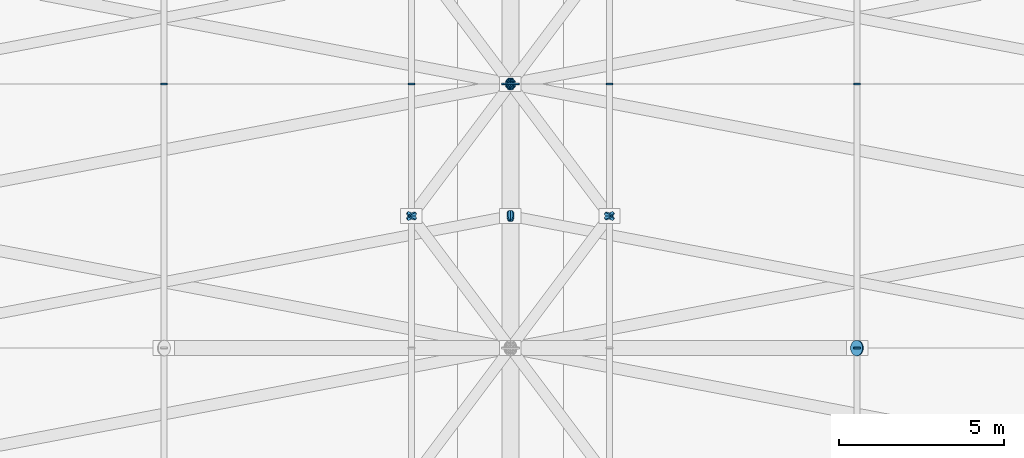
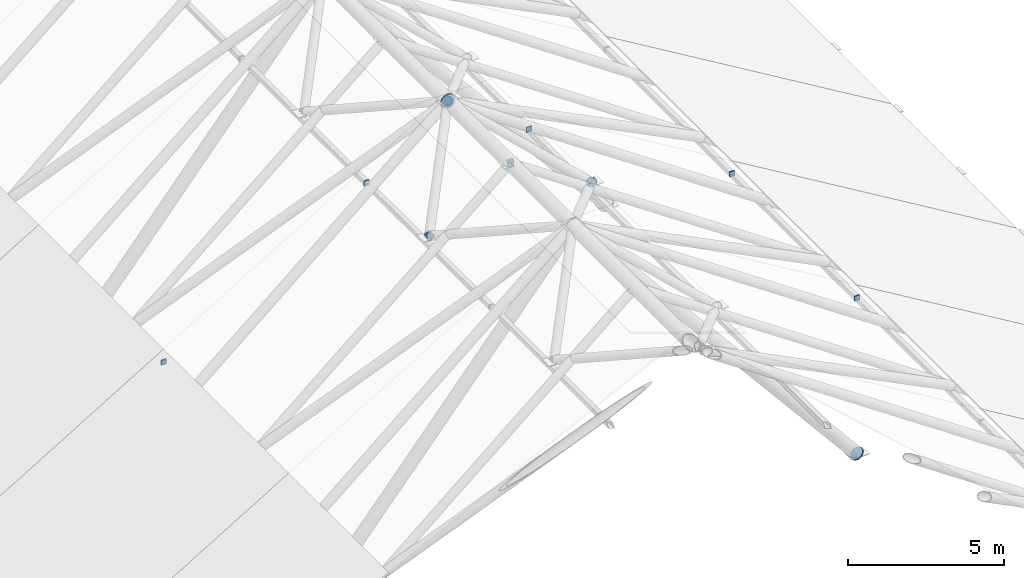
# One storey, part 26 of 44: 27 discrete accessories.
"""IFC4 building model written with IfcOpenShell, lengths in metres."""

from ifc_helpers import new_model, si_unit, direction, frame, origin, origin_2d, place, context, subcontext, project, spatial, rectangle, circle, extrude, material, element, save


model = new_model("IFC4")

# Units and contexts
model_context = context("Model", 3, precision=1e-05, world=origin(), true_north=direction((0.0, 1.0)))
body_context = subcontext(model_context, "Body", "Model", "MODEL_VIEW")
ifc_project = project(units=[si_unit("LENGTHUNIT", "METRE"), si_unit("AREAUNIT", "SQUARE_METRE"), si_unit("VOLUMEUNIT", "CUBIC_METRE"), si_unit("PLANEANGLEUNIT", "RADIAN"), si_unit("MASSUNIT", "GRAM", prefix="KILO")], contexts=[model_context])

# Site, building, storey
site_placement = place(None, origin())
site = spatial("IfcSite", under=ifc_project, at=site_placement, CompositionType="ELEMENT")
building_placement = place(site_placement, origin())
building = spatial("IfcBuilding", under=site, at=building_placement, Name="Marlcrest Central Station", CompositionType="ELEMENT")
storey_placement = place(building_placement, frame((0.0, 0.0, 19.5)))
storey = spatial("IfcBuildingStorey", under=building, at=storey_placement, Name="L04", CompositionType="ELEMENT", Elevation=19.5)

# Discrete accessories
ifc_material = material(Name="Steel S355", Category="steel")
discrete_accessory_1_placement = place(storey_placement, frame((118.509521484375, 54.5, -0.011474609375), z_axis=(-0.640181471429, 0.0, 0.768223719784), x_axis=(0.0, -1.0, 0.0)))
element("IfcDiscreteAccessory", 1, at=discrete_accessory_1_placement, inside=storey, material=ifc_material, Name="endcap-mem-ST-01-L04-02371-s", ObjectType="END_CAP_PLATE", PredefinedType="BRACKET", context=body_context, shape_type="SweptSolid", body=[
    extrude(circle(Radius=0.236572265625, at=origin_2d()), origin(), (0.0, 0.0, 1.0), 0.0400390625),
])
discrete_accessory_2_placement = place(storey_placement, frame((118.5, 54.47509765625, 6.080078125), z_axis=(0.0, 1.0, 0.0), x_axis=(-1.0, 0.0, 0.0)))
element("IfcDiscreteAccessory", 2, at=discrete_accessory_2_placement, inside=storey, material=ifc_material, Name="endcap-mem-PR-03-L04-02439-e", ObjectType="END_CAP_PLATE", PredefinedType="BRACKET", context=body_context, shape_type="SweptSolid", body=[
    extrude(rectangle(XDim=0.196044921875, YDim=0.196044921875, at=origin_2d()), origin(), (0.0, 0.0, 1.0), 0.0400390625),
])
discrete_accessory_3_placement = place(storey_placement, frame((108.0, 62.47509765625, 12.60009765625), z_axis=(0.0, 1.0, 0.0), x_axis=(-1.0, 0.0, 0.0)))
element("IfcDiscreteAccessory", 3, at=discrete_accessory_3_placement, inside=storey, material=ifc_material, Name="endcap-mem-SC-SP-L04-02440-e", ObjectType="END_CAP_PLATE", PredefinedType="BRACKET", context=body_context, shape_type="SweptSolid", body=[
    extrude(circle(Radius=0.261962890625, at=origin_2d()), origin(), (0.0, 0.0, 1.0), 0.0400390625),
])
discrete_accessory_4_placement = place(storey_placement, frame((105.0, 62.47509765625, 10.449951171875), z_axis=(0.0, 1.0, 0.0), x_axis=(-1.0, 0.0, 0.0)))
element("IfcDiscreteAccessory", 4, at=discrete_accessory_4_placement, inside=storey, material=ifc_material, Name="endcap-mem-PR-03-L04-02441-e", ObjectType="END_CAP_PLATE", PredefinedType="BRACKET", context=body_context, shape_type="SweptSolid", body=[
    extrude(rectangle(XDim=0.196044921875, YDim=0.196044921875, at=origin_2d()), origin(), (0.0, 0.0, 1.0), 0.0400390625),
])
for number, where, z_axis, x_axis, name in (
    (5, (105.01416015625, 58.481201171875, 10.80859375), (-0.564530690126, 0.752707586834, -0.338727602401), (-0.8, -0.6, 0.0), "endcap-mem-FB-02-L04-02442-e"),
    (6, (108.008544921875, 62.51123046875, 12.605224609375), (-0.564530690126, -0.752707586834, -0.338727602401), (0.8, -0.6, 0.0), "endcap-mem-FB-02-L04-02443-s"),
    (7, (105.01416015625, 58.518798828125, 10.80859375), (-0.564530690126, -0.752707586834, -0.338727602401), (0.8, -0.6, 0.0), "endcap-mem-FB-02-L04-02443-e"),
):
    element("IfcDiscreteAccessory", number, at=place(storey_placement, frame(where, z_axis=z_axis, x_axis=x_axis)), inside=storey, material=ifc_material, Name=name, ObjectType="END_CAP_PLATE", PredefinedType="BRACKET", context=body_context, shape_type="SweptSolid", body=[
        extrude(circle(Radius=0.169921875, at=origin_2d()), origin(), (0.0, 0.0, 1.0), 0.0400390625),
    ])
discrete_accessory_5_placement = place(storey_placement, frame((111.0, 62.47509765625, 10.449951171875), z_axis=(0.0, 1.0, 0.0), x_axis=(-1.0, 0.0, 0.0)))
element("IfcDiscreteAccessory", 8, at=discrete_accessory_5_placement, inside=storey, material=ifc_material, Name="endcap-mem-PR-03-L04-02444-e", ObjectType="END_CAP_PLATE", PredefinedType="BRACKET", context=body_context, shape_type="SweptSolid", body=[
    extrude(rectangle(XDim=0.196044921875, YDim=0.196044921875, at=origin_2d()), origin(), (0.0, 0.0, 1.0), 0.0400390625),
])
for number, where, z_axis, x_axis, name in (
    (9, (110.98583984375, 58.481201171875, 10.80859375), (0.564530690126, 0.752707586834, -0.338727602401), (-0.8, 0.6, 0.0), "endcap-mem-FB-02-L04-02445-e"),
    (10, (107.991455078125, 62.51123046875, 12.605224609375), (0.564530690126, -0.752707586834, -0.338727602401), (0.8, 0.6, 0.0), "endcap-mem-FB-02-L04-02446-s"),
    (11, (110.98583984375, 58.518798828125, 10.80859375), (0.564530690126, -0.752707586834, -0.338727602401), (0.8, 0.6, 0.0), "endcap-mem-FB-02-L04-02446-e"),
):
    element("IfcDiscreteAccessory", number, at=place(storey_placement, frame(where, z_axis=z_axis, x_axis=x_axis)), inside=storey, material=ifc_material, Name=name, ObjectType="END_CAP_PLATE", PredefinedType="BRACKET", context=body_context, shape_type="SweptSolid", body=[
        extrude(circle(Radius=0.169921875, at=origin_2d()), origin(), (0.0, 0.0, 1.0), 0.0400390625),
    ])
discrete_accessory_6_placement = place(storey_placement, frame((108.0126953125, 62.50244140625, 12.607666015625), z_axis=(-0.846277296716, -0.161195675565, -0.507770313471), x_axis=(0.18711210789, -0.982338566422, 0.0)))
element("IfcDiscreteAccessory", 12, at=discrete_accessory_6_placement, inside=storey, material=ifc_material, Name="endcap-mem-FB-01-L04-02448-s", ObjectType="END_CAP_PLATE", PredefinedType="BRACKET", context=body_context, shape_type="SweptSolid", body=[
    extrude(circle(Radius=0.185791015625, at=origin_2d()), origin(), (0.0, 0.0, 1.0), 0.0400390625),
])
discrete_accessory_7_placement = place(storey_placement, frame((108.0126953125, 58.50244140625, 12.607666015625), z_axis=(-0.846277296716, -0.161195675565, -0.507770313471), x_axis=(0.18711210789, -0.982338566422, 0.0)))
element("IfcDiscreteAccessory", 13, at=discrete_accessory_7_placement, inside=storey, material=ifc_material, Name="endcap-mem-FB-02-L04-02449-s", ObjectType="END_CAP_PLATE", PredefinedType="BRACKET", context=body_context, shape_type="SweptSolid", body=[
    extrude(circle(Radius=0.169921875, at=origin_2d()), origin(), (0.0, 0.0, 1.0), 0.0400390625),
])
discrete_accessory_8_placement = place(storey_placement, frame((97.5, 62.47509765625, 6.080078125), z_axis=(0.0, 1.0, 0.0), x_axis=(-1.0, 0.0, 0.0)))
element("IfcDiscreteAccessory", 14, at=discrete_accessory_8_placement, inside=storey, material=ifc_material, Name="endcap-mem-PR-03-L04-02450-e", ObjectType="END_CAP_PLATE", PredefinedType="BRACKET", context=body_context, shape_type="SweptSolid", body=[
    extrude(rectangle(XDim=0.196044921875, YDim=0.196044921875, at=origin_2d()), origin(), (0.0, 0.0, 1.0), 0.0400390625),
])
discrete_accessory_9_placement = place(storey_placement, frame((107.9873046875, 62.50244140625, 12.607666015625), z_axis=(0.846277296716, -0.161195675565, -0.507770313471), x_axis=(0.18711210789, 0.982338566422, 0.0)))
element("IfcDiscreteAccessory", 15, at=discrete_accessory_9_placement, inside=storey, material=ifc_material, Name="endcap-mem-FB-01-L04-02452-s", ObjectType="END_CAP_PLATE", PredefinedType="BRACKET", context=body_context, shape_type="SweptSolid", body=[
    extrude(circle(Radius=0.185791015625, at=origin_2d()), origin(), (0.0, 0.0, 1.0), 0.0400390625),
])
discrete_accessory_10_placement = place(storey_placement, frame((107.9873046875, 58.50244140625, 12.607666015625), z_axis=(0.846277296716, -0.161195675565, -0.507770313471), x_axis=(0.18711210789, 0.982338566422, 0.0)))
element("IfcDiscreteAccessory", 16, at=discrete_accessory_10_placement, inside=storey, material=ifc_material, Name="endcap-mem-FB-02-L04-02453-s", ObjectType="END_CAP_PLATE", PredefinedType="BRACKET", context=body_context, shape_type="SweptSolid", body=[
    extrude(circle(Radius=0.169921875, at=origin_2d()), origin(), (0.0, 0.0, 1.0), 0.0400390625),
])
for number, where, z_axis, x_axis, name in (
    (17, (118.5, 54.485107421875, 6.080078125), (0.0, 1.0, 0.0), (-1.0, 0.0, 0.0), "endcap-mem-PR-03-L04-02454-s"),
    (18, (118.5, 62.47509765625, 6.080078125), (0.0, 1.0, 0.0), (-1.0, 0.0, 0.0), "endcap-mem-PR-03-L04-02454-e"),
):
    element("IfcDiscreteAccessory", number, at=place(storey_placement, frame(where, z_axis=z_axis, x_axis=x_axis)), inside=storey, material=ifc_material, Name=name, ObjectType="END_CAP_PLATE", PredefinedType="BRACKET", context=body_context, shape_type="SweptSolid", body=[
        extrude(rectangle(XDim=0.196044921875, YDim=0.196044921875, at=origin_2d()), origin(), (0.0, 0.0, 1.0), 0.0400390625),
    ])
discrete_accessory_11_placement = place(storey_placement, frame((108.0, 62.485107421875, 12.60009765625), z_axis=(0.0, 1.0, 0.0), x_axis=(-1.0, 0.0, 0.0)))
element("IfcDiscreteAccessory", 19, at=discrete_accessory_11_placement, inside=storey, material=ifc_material, Name="endcap-mem-SC-SP-L04-02455-s", ObjectType="END_CAP_PLATE", PredefinedType="BRACKET", context=body_context, shape_type="SweptSolid", body=[
    extrude(circle(Radius=0.261962890625, at=origin_2d()), origin(), (0.0, 0.0, 1.0), 0.0400390625),
])
discrete_accessory_12_placement = place(storey_placement, frame((105.0, 62.485107421875, 10.449951171875), z_axis=(0.0, 1.0, 0.0), x_axis=(-1.0, 0.0, 0.0)))
element("IfcDiscreteAccessory", 20, at=discrete_accessory_12_placement, inside=storey, material=ifc_material, Name="endcap-mem-PR-03-L04-02456-s", ObjectType="END_CAP_PLATE", PredefinedType="BRACKET", context=body_context, shape_type="SweptSolid", body=[
    extrude(rectangle(XDim=0.196044921875, YDim=0.196044921875, at=origin_2d()), origin(), (0.0, 0.0, 1.0), 0.0400390625),
])
discrete_accessory_13_placement = place(storey_placement, frame((108.008544921875, 62.48876953125, 12.605224609375), z_axis=(-0.564530690126, 0.752707586834, -0.338727602401), x_axis=(-0.8, -0.6, 0.0)))
element("IfcDiscreteAccessory", 21, at=discrete_accessory_13_placement, inside=storey, material=ifc_material, Name="endcap-mem-FB-02-L04-02457-s", ObjectType="END_CAP_PLATE", PredefinedType="BRACKET", context=body_context, shape_type="SweptSolid", body=[
    extrude(circle(Radius=0.169921875, at=origin_2d()), origin(), (0.0, 0.0, 1.0), 0.0400390625),
])
discrete_accessory_14_placement = place(storey_placement, frame((111.0, 62.485107421875, 10.449951171875), z_axis=(0.0, 1.0, 0.0), x_axis=(-1.0, 0.0, 0.0)))
element("IfcDiscreteAccessory", 22, at=discrete_accessory_14_placement, inside=storey, material=ifc_material, Name="endcap-mem-PR-03-L04-02459-s", ObjectType="END_CAP_PLATE", PredefinedType="BRACKET", context=body_context, shape_type="SweptSolid", body=[
    extrude(rectangle(XDim=0.196044921875, YDim=0.196044921875, at=origin_2d()), origin(), (0.0, 0.0, 1.0), 0.0400390625),
])
discrete_accessory_15_placement = place(storey_placement, frame((107.991455078125, 62.48876953125, 12.605224609375), z_axis=(0.564530690126, 0.752707586834, -0.338727602401), x_axis=(-0.8, 0.6, 0.0)))
element("IfcDiscreteAccessory", 23, at=discrete_accessory_15_placement, inside=storey, material=ifc_material, Name="endcap-mem-FB-02-L04-02460-s", ObjectType="END_CAP_PLATE", PredefinedType="BRACKET", context=body_context, shape_type="SweptSolid", body=[
    extrude(circle(Radius=0.169921875, at=origin_2d()), origin(), (0.0, 0.0, 1.0), 0.0400390625),
])
discrete_accessory_16_placement = place(storey_placement, frame((108.0126953125, 62.49755859375, 12.607666015625), z_axis=(-0.846277296716, 0.161195675565, -0.507770313471), x_axis=(-0.18711210789, -0.982338566422, 0.0)))
element("IfcDiscreteAccessory", 24, at=discrete_accessory_16_placement, inside=storey, material=ifc_material, Name="endcap-mem-FB-01-L04-02462-s", ObjectType="END_CAP_PLATE", PredefinedType="BRACKET", context=body_context, shape_type="SweptSolid", body=[
    extrude(circle(Radius=0.185791015625, at=origin_2d()), origin(), (0.0, 0.0, 1.0), 0.0400390625),
])
discrete_accessory_17_placement = place(storey_placement, frame((97.5, 62.485107421875, 6.080078125), z_axis=(0.0, 1.0, 0.0), x_axis=(-1.0, 0.0, 0.0)))
element("IfcDiscreteAccessory", 25, at=discrete_accessory_17_placement, inside=storey, material=ifc_material, Name="endcap-mem-PR-03-L04-02465-s", ObjectType="END_CAP_PLATE", PredefinedType="BRACKET", context=body_context, shape_type="SweptSolid", body=[
    extrude(rectangle(XDim=0.196044921875, YDim=0.196044921875, at=origin_2d()), origin(), (0.0, 0.0, 1.0), 0.0400390625),
])
discrete_accessory_18_placement = place(storey_placement, frame((107.9873046875, 62.49755859375, 12.607666015625), z_axis=(0.846277296716, 0.161195675565, -0.507770313471), x_axis=(-0.18711210789, 0.982338566422, 0.0)))
element("IfcDiscreteAccessory", 26, at=discrete_accessory_18_placement, inside=storey, material=ifc_material, Name="endcap-mem-FB-01-L04-02466-s", ObjectType="END_CAP_PLATE", PredefinedType="BRACKET", context=body_context, shape_type="SweptSolid", body=[
    extrude(circle(Radius=0.185791015625, at=origin_2d()), origin(), (0.0, 0.0, 1.0), 0.0400390625),
])
discrete_accessory_19_placement = place(storey_placement, frame((118.5, 62.485107421875, 6.080078125), z_axis=(0.0, 1.0, 0.0), x_axis=(-1.0, 0.0, 0.0)))
element("IfcDiscreteAccessory", 27, at=discrete_accessory_19_placement, inside=storey, material=ifc_material, Name="endcap-mem-PR-03-L04-02469-s", ObjectType="END_CAP_PLATE", PredefinedType="BRACKET", context=body_context, shape_type="SweptSolid", body=[
    extrude(rectangle(XDim=0.196044921875, YDim=0.196044921875, at=origin_2d()), origin(), (0.0, 0.0, 1.0), 0.0400390625),
])

save(model, "model.ifc")
